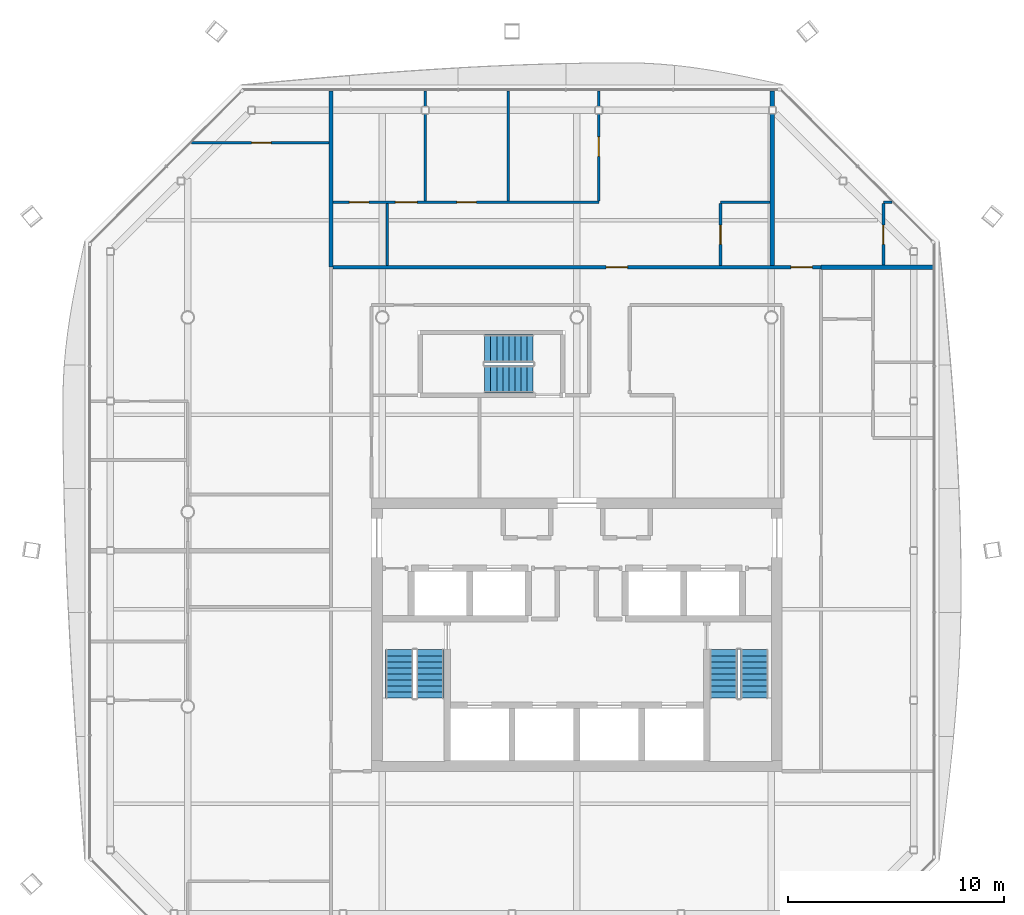
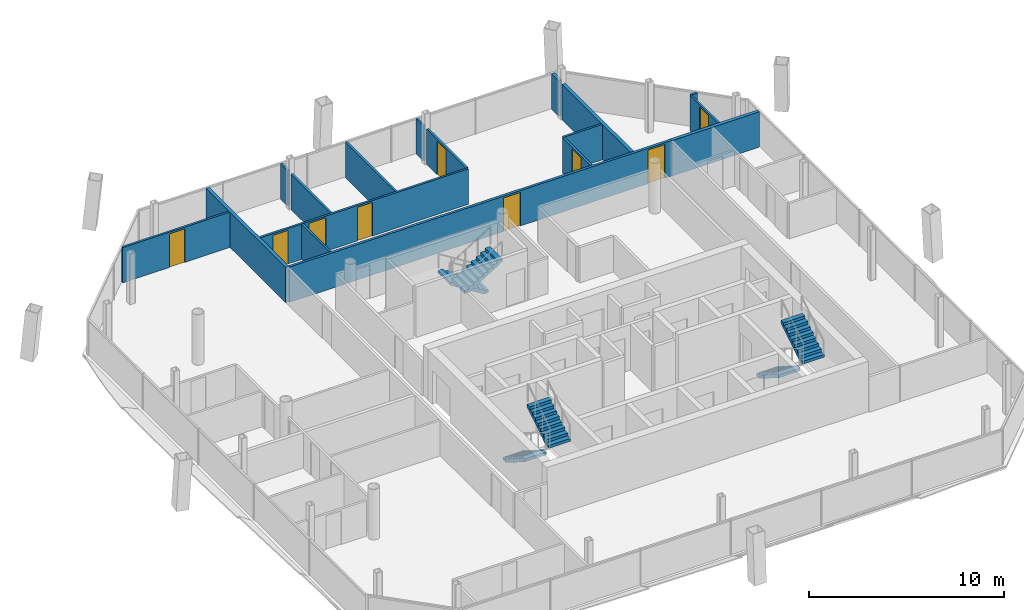
# One storey, part 14 of 19: 17 walls, 9 doors, 6 stair flights, 9 openings, 3 elements without a shape of their own.
"""IFC4 building model written with IfcOpenShell, lengths in metres."""

from ifc_helpers import new_model, si_unit, direction, frame, frame_2d, origin, place, context, subcontext, project, spatial, polyline, rectangle, outline, extrude, material, layer, layer_set, type_object, element, fill, aggregate, save


model = new_model("IFC4")

# Units and contexts
model_context = context("Model", 3, precision=1e-05, world=origin(), true_north=direction((0.0, 1.0)))
body_context = subcontext(model_context, "Body", "Model", "MODEL_VIEW")
ifc_project = project(units=[si_unit("LENGTHUNIT", "METRE"), si_unit("AREAUNIT", "SQUARE_METRE"), si_unit("VOLUMEUNIT", "CUBIC_METRE"), si_unit("PLANEANGLEUNIT", "RADIAN"), si_unit("MASSUNIT", "GRAM", prefix="KILO")], contexts=[model_context])

# Site, building, storey
site_placement = place(None, origin())
site = spatial("IfcSite", under=ifc_project, at=site_placement, CompositionType="ELEMENT")
building_placement = place(site_placement, origin())
building = spatial("IfcBuilding", under=site, at=building_placement, Name="Tskaro Facet Tower", CompositionType="ELEMENT")
storey_placement = place(building_placement, frame((0.0, 0.0, 206.85009765625)))
storey = spatial("IfcBuildingStorey", under=building, at=storey_placement, Name="L53", CompositionType="ELEMENT", Elevation=206.85009765625)

# Wall, openings, doors
ifc_material_1 = material(Name="Gypsum board on steel studs", Category="steel")
ifc_layer_1 = layer(ifc_material_1, 0.125, Name="Gypsum board on steel studs")
ifc_layer_set_1 = layer_set([ifc_layer_1], Name="Gypsum board on steel studs")
wall_type_1 = type_object("IfcWallType", Name="PART", PredefinedType="PARTITIONING", material=ifc_layer_set_1)
wall_1_placement = place(storey_placement, frame((-11.27490234375, 14.324951171875, 0.0), z_axis=(0.0, 0.0, 1.0), x_axis=(1.0, 0.0, 0.0)))
wall_1 = element("IfcWall", 1, at=wall_1_placement, inside=storey, type_object=wall_type_1, Name="Partition W039", PredefinedType="PARTITIONING", context=body_context, shape_type="SweptSolid", body=[
    extrude(rectangle(XDim=12.289794921875, YDim=0.125, at=frame_2d((6.14501953125, 0.0))), origin(), (0.0, 0.0, 1.0), 2.2099609375),
])
opening_1_placement = place(wall_1_placement, frame((5.72998046875, 0.0, 0.0)))
opening_1 = element("IfcOpeningElement", 2, at=opening_1_placement, cuts=wall_1, Name="Opening T15-D33", PredefinedType="OPENING", context=body_context, shape_type="SweptSolid", body=[
    extrude(rectangle(XDim=0.89990234375, YDim=2.10009765625, at=frame_2d((0.449951171875, 1.050048828125))), frame((0.0, 0.072509765625, 0.0), z_axis=(0.0, -1.0, 0.0), x_axis=(1.0, 0.0, 0.0)), (0.0, 0.0, 1.0), 0.14501953125),
])
opening_2_placement = place(wall_1_placement, frame((2.8798828125, 0.0, 0.0)))
opening_2 = element("IfcOpeningElement", 3, at=opening_2_placement, cuts=wall_1, Name="Opening T15-D32", PredefinedType="OPENING", context=body_context, shape_type="SweptSolid", body=[
    extrude(rectangle(XDim=1.0, YDim=2.10009765625, at=frame_2d((0.5, 1.050048828125))), frame((0.0, 0.072509765625, 0.0), z_axis=(0.0, -1.0, 0.0), x_axis=(1.0, 0.0, 0.0)), (0.0, 0.0, 1.0), 0.14501953125),
])
opening_3_placement = place(wall_1_placement, frame((0.75, 0.0, 0.0)))
opening_3 = element("IfcOpeningElement", 4, at=opening_3_placement, cuts=wall_1, Name="Opening T15-D31", PredefinedType="OPENING", context=body_context, shape_type="SweptSolid", body=[
    extrude(rectangle(XDim=0.89990234375, YDim=2.10009765625, at=frame_2d((0.449951171875, 1.050048828125))), frame((0.0, 0.072509765625, 0.0), z_axis=(0.0, -1.0, 0.0), x_axis=(1.0, 0.0, 0.0)), (0.0, 0.0, 1.0), 0.14501953125),
])
ifc_material_2 = material(Name="Timber", Category="wood")
door_type_1 = type_object("IfcDoorType", Name="D-ROOM", OperationType="NOTDEFINED", PredefinedType="DOOR", material=ifc_material_2)
door_1_placement = place(opening_1_placement, origin())
door_1 = element("IfcDoor", 5, at=door_1_placement, inside=storey, type_object=door_type_1, Name="Door T15-D33", OperationType="SINGLE_SWING_LEFT", OverallHeight=2.10009765625, OverallWidth=0.89990234375, PredefinedType="DOOR", context=body_context, shape_type="SweptSolid", body=[
    extrude(rectangle(XDim=0.89990234375, YDim=2.10009765625, at=frame_2d((0.449951171875, 1.050048828125))), frame((0.0, 0.02490234375, 0.0), z_axis=(0.0, -1.0, 0.0), x_axis=(1.0, 0.0, 0.0)), (0.0, 0.0, 1.0), 0.050048828125),
])
fill(opening_1, door_1)
door_2_placement = place(opening_3_placement, origin())
door_2 = element("IfcDoor", 6, at=door_2_placement, inside=storey, type_object=door_type_1, Name="Door T15-D31", OperationType="SINGLE_SWING_RIGHT", OverallHeight=2.10009765625, OverallWidth=0.89990234375, PredefinedType="DOOR", context=body_context, shape_type="SweptSolid", body=[
    extrude(rectangle(XDim=0.89990234375, YDim=2.10009765625, at=frame_2d((0.449951171875, 1.050048828125))), frame((0.0, 0.02490234375, 0.0), z_axis=(0.0, -1.0, 0.0), x_axis=(1.0, 0.0, 0.0)), (0.0, 0.0, 1.0), 0.050048828125),
])
fill(opening_3, door_2)
door_type_2 = type_object("IfcDoorType", Name="D-ROOM-WIDE", OperationType="NOTDEFINED", PredefinedType="DOOR", material=ifc_material_2)
door_3_placement = place(opening_2_placement, origin())
door_3 = element("IfcDoor", 7, at=door_3_placement, inside=storey, type_object=door_type_2, Name="Door T15-D32", OperationType="SINGLE_SWING_RIGHT", OverallHeight=2.10009765625, OverallWidth=1.0, PredefinedType="DOOR", context=body_context, shape_type="SweptSolid", body=[
    extrude(rectangle(XDim=1.0, YDim=2.10009765625, at=frame_2d((0.5, 1.050048828125))), frame((0.0, 0.02490234375, 0.0), z_axis=(0.0, -1.0, 0.0), x_axis=(1.0, 0.0, 0.0)), (0.0, 0.0, 1.0), 0.050048828125),
])
fill(opening_2, door_3)

# Walls
wall_2_placement = place(storey_placement, frame((6.64501953125, 14.324951171875, 0.0), z_axis=(0.0, 0.0, 1.0), x_axis=(1.0, 0.0, 0.0)))
element("IfcWall", 8, at=wall_2_placement, inside=storey, type_object=wall_type_1, Name="Partition W040", PredefinedType="PARTITIONING", context=body_context, shape_type="SweptSolid", body=[
    extrude(rectangle(XDim=2.300048828125, YDim=0.125, at=frame_2d((1.14990234375, 0.0))), origin(), (0.0, 0.0, 1.0), 2.2099609375),
])
wall_3_placement = place(storey_placement, frame((14.18505859375, 14.324951171875, 0.0), z_axis=(0.0, 0.0, 1.0), x_axis=(1.0, 0.0, 0.0)))
element("IfcWall", 9, at=wall_3_placement, inside=storey, type_object=wall_type_1, Name="Partition W041", PredefinedType="PARTITIONING", context=body_context, shape_type="SweptSolid", body=[
    extrude(rectangle(XDim=0.391845703125, YDim=0.125, at=frame_2d((0.19580078125, 0.0))), origin(), (0.0, 0.0, 1.0), 2.2099609375),
])

# Wall, opening, door
wall_4_placement = place(storey_placement, frame((-17.81689453125, 17.0849609375, 0.0), z_axis=(0.0, 0.0, 1.0), x_axis=(1.0, 0.0, 0.0)))
wall_4 = element("IfcWall", 10, at=wall_4_placement, inside=storey, type_object=wall_type_1, Name="Partition W042", PredefinedType="PARTITIONING", context=body_context, shape_type="SweptSolid", body=[
    extrude(rectangle(XDim=6.341796875, YDim=0.125, at=frame_2d((3.1708984375, 0.0))), origin(), (0.0, 0.0, 1.0), 2.2099609375),
])
opening_4_placement = place(wall_4_placement, frame((2.77099609375, 0.0, 0.0)))
opening_4 = element("IfcOpeningElement", 11, at=opening_4_placement, cuts=wall_4, Name="Opening T15-D35", PredefinedType="OPENING", context=body_context, shape_type="SweptSolid", body=[
    extrude(rectangle(XDim=0.89990234375, YDim=2.10009765625, at=frame_2d((0.449951171875, 1.050048828125))), frame((0.0, 0.072509765625, 0.0), z_axis=(0.0, -1.0, 0.0), x_axis=(1.0, 0.0, 0.0)), (0.0, 0.0, 1.0), 0.14501953125),
])
door_4_placement = place(opening_4_placement, origin())
door_4 = element("IfcDoor", 12, at=door_4_placement, inside=storey, type_object=door_type_1, Name="Door T15-D35", OperationType="SINGLE_SWING_LEFT", OverallHeight=2.10009765625, OverallWidth=0.89990234375, PredefinedType="DOOR", context=body_context, shape_type="SweptSolid", body=[
    extrude(rectangle(XDim=0.89990234375, YDim=2.10009765625, at=frame_2d((0.449951171875, 1.050048828125))), frame((0.0, 0.02490234375, 0.0), z_axis=(0.0, -1.0, 0.0), x_axis=(1.0, 0.0, 0.0)), (0.0, 0.0, 1.0), 0.050048828125),
])
fill(opening_4, door_4)

# Walls
wall_5_placement = place(storey_placement, frame((-8.77490234375, 11.39990234375, 0.0), z_axis=(0.0, 0.0, 1.0), x_axis=(0.0, 1.0, 0.0)))
element("IfcWall", 13, at=wall_5_placement, inside=storey, type_object=wall_type_1, Name="Partition W050", PredefinedType="PARTITIONING", context=body_context, shape_type="SweptSolid", body=[
    extrude(rectangle(XDim=2.862548828125, YDim=0.125, at=frame_2d((1.43115234375, 0.0))), origin(), (0.0, 0.0, 1.0), 2.2099609375),
])
wall_6_placement = place(storey_placement, frame((-7.014892578125, 14.387451171875, 0.0), z_axis=(0.0, 0.0, 1.0), x_axis=(0.0, 1.0, 0.0)))
element("IfcWall", 14, at=wall_6_placement, inside=storey, type_object=wall_type_1, Name="Partition W053", PredefinedType="PARTITIONING", context=body_context, shape_type="SweptSolid", body=[
    extrude(rectangle(XDim=4.0205078125, YDim=0.125, at=frame_2d((2.01025390625, 0.0))), origin(), (0.0, 0.0, 1.0), 2.2099609375),
])
wall_7_placement = place(storey_placement, frame((-7.014892578125, 18.758056640625, 0.0), z_axis=(0.0, 0.0, 1.0), x_axis=(0.0, 1.0, 0.0)))
element("IfcWall", 15, at=wall_7_placement, inside=storey, type_object=wall_type_1, Name="Partition W054", PredefinedType="PARTITIONING", context=body_context, shape_type="SweptSolid", body=[
    extrude(rectangle(XDim=0.724853515625, YDim=0.125, at=frame_2d((0.3623046875, 0.0))), origin(), (0.0, 0.0, 1.0), 2.2099609375),
])
wall_8_placement = place(storey_placement, frame((-3.175048828125, 14.387451171875, 0.0), z_axis=(0.0, 0.0, 1.0), x_axis=(0.0, 1.0, 0.0)))
element("IfcWall", 16, at=wall_8_placement, inside=storey, type_object=wall_type_1, Name="Partition W059", PredefinedType="PARTITIONING", context=body_context, shape_type="SweptSolid", body=[
    extrude(rectangle(XDim=5.095458984375, YDim=0.125, at=frame_2d((2.5478515625, 0.0))), origin(), (0.0, 0.0, 1.0), 2.2099609375),
])

# Wall, opening, door
wall_9_placement = place(storey_placement, frame((1.014892578125, 14.387451171875, 0.0), z_axis=(0.0, 0.0, 1.0), x_axis=(0.0, 1.0, 0.0)))
wall_9 = element("IfcWall", 17, at=wall_9_placement, inside=storey, type_object=wall_type_1, Name="Partition W068", PredefinedType="PARTITIONING", context=body_context, shape_type="SweptSolid", body=[
    extrude(rectangle(XDim=4.0205078125, YDim=0.125, at=frame_2d((2.01025390625, 0.0))), origin(), (0.0, 0.0, 1.0), 2.2099609375),
])
opening_5_placement = place(wall_9_placement, frame((2.06640625, 0.0, 0.0)))
opening_5 = element("IfcOpeningElement", 18, at=opening_5_placement, cuts=wall_9, Name="Opening T15-D34", PredefinedType="OPENING", context=body_context, shape_type="SweptSolid", body=[
    extrude(rectangle(XDim=0.89990234375, YDim=2.10009765625, at=frame_2d((0.449951171875, 1.050048828125))), frame((0.0, 0.072509765625, 0.0), z_axis=(0.0, -1.0, 0.0), x_axis=(1.0, 0.0, 0.0)), (0.0, 0.0, 1.0), 0.14501953125),
])
door_5_placement = place(opening_5_placement, origin())
door_5 = element("IfcDoor", 19, at=door_5_placement, inside=storey, type_object=door_type_1, Name="Door T15-D34", OperationType="SINGLE_SWING_LEFT", OverallHeight=2.10009765625, OverallWidth=0.89990234375, PredefinedType="DOOR", context=body_context, shape_type="SweptSolid", body=[
    extrude(rectangle(XDim=0.89990234375, YDim=2.10009765625, at=frame_2d((0.449951171875, 1.050048828125))), frame((0.0, 0.02490234375, 0.0), z_axis=(0.0, -1.0, 0.0), x_axis=(1.0, 0.0, 0.0)), (0.0, 0.0, 1.0), 0.050048828125),
])
fill(opening_5, door_5)

# Wall
wall_10_placement = place(storey_placement, frame((1.014892578125, 18.758056640625, 0.0), z_axis=(0.0, 0.0, 1.0), x_axis=(0.0, 1.0, 0.0)))
element("IfcWall", 20, at=wall_10_placement, inside=storey, type_object=wall_type_1, Name="Partition W069", PredefinedType="PARTITIONING", context=body_context, shape_type="SweptSolid", body=[
    extrude(rectangle(XDim=0.724853515625, YDim=0.125, at=frame_2d((0.3623046875, 0.0))), origin(), (0.0, 0.0, 1.0), 2.2099609375),
])

# Wall, opening, door
wall_11_placement = place(storey_placement, frame((6.64501953125, 14.262451171875, 0.0), z_axis=(0.0, 0.0, 1.0), x_axis=(0.0, -1.0, 0.0)))
wall_11 = element("IfcWall", 21, at=wall_11_placement, inside=storey, type_object=wall_type_1, Name="Partition W078", PredefinedType="PARTITIONING", context=body_context, shape_type="SweptSolid", body=[
    extrude(rectangle(XDim=2.862548828125, YDim=0.125, at=frame_2d((1.43115234375, 0.0))), origin(), (0.0, 0.0, 1.0), 2.2099609375),
])
opening_6_placement = place(wall_11_placement, frame((0.987548828125, 0.0, 0.0)))
opening_6 = element("IfcOpeningElement", 22, at=opening_6_placement, cuts=wall_11, Name="Opening T15-D29", PredefinedType="OPENING", context=body_context, shape_type="SweptSolid", body=[
    extrude(rectangle(XDim=0.89990234375, YDim=2.10009765625, at=frame_2d((0.449951171875, 1.050048828125))), frame((0.0, 0.072509765625, 0.0), z_axis=(0.0, -1.0, 0.0), x_axis=(1.0, 0.0, 0.0)), (0.0, 0.0, 1.0), 0.14501953125),
])
door_6_placement = place(opening_6_placement, origin())
door_6 = element("IfcDoor", 23, at=door_6_placement, inside=storey, type_object=door_type_1, Name="Door T15-D29", OperationType="SINGLE_SWING_RIGHT", OverallHeight=2.10009765625, OverallWidth=0.89990234375, PredefinedType="DOOR", context=body_context, shape_type="SweptSolid", body=[
    extrude(rectangle(XDim=0.89990234375, YDim=2.10009765625, at=frame_2d((0.449951171875, 1.050048828125))), frame((0.0, 0.02490234375, 0.0), z_axis=(0.0, -1.0, 0.0), x_axis=(1.0, 0.0, 0.0)), (0.0, 0.0, 1.0), 0.050048828125),
])
fill(opening_6, door_6)

wall_12_placement = place(storey_placement, frame((14.18505859375, 14.262451171875, 0.0), z_axis=(0.0, 0.0, 1.0), x_axis=(0.0, -1.0, 0.0)))
wall_12 = element("IfcWall", 24, at=wall_12_placement, inside=storey, type_object=wall_type_1, Name="Partition W085", PredefinedType="PARTITIONING", context=body_context, shape_type="SweptSolid", body=[
    extrude(rectangle(XDim=2.83740234375, YDim=0.125, at=frame_2d((1.418701171875, 0.0))), origin(), (0.0, 0.0, 1.0), 2.2099609375),
])
opening_7_placement = place(wall_12_placement, frame((0.987548828125, 0.0, 0.0)))
opening_7 = element("IfcOpeningElement", 25, at=opening_7_placement, cuts=wall_12, Name="Opening T15-D30", PredefinedType="OPENING", context=body_context, shape_type="SweptSolid", body=[
    extrude(rectangle(XDim=0.89990234375, YDim=2.10009765625, at=frame_2d((0.449951171875, 1.050048828125))), frame((0.0, 0.072509765625, 0.0), z_axis=(0.0, -1.0, 0.0), x_axis=(1.0, 0.0, 0.0)), (0.0, 0.0, 1.0), 0.14501953125),
])
door_7_placement = place(opening_7_placement, origin())
door_7 = element("IfcDoor", 26, at=door_7_placement, inside=storey, type_object=door_type_1, Name="Door T15-D30", OperationType="SINGLE_SWING_RIGHT", OverallHeight=2.10009765625, OverallWidth=0.89990234375, PredefinedType="DOOR", context=body_context, shape_type="SweptSolid", body=[
    extrude(rectangle(XDim=0.89990234375, YDim=2.10009765625, at=frame_2d((0.449951171875, 1.050048828125))), frame((0.0, 0.02490234375, 0.0), z_axis=(0.0, -1.0, 0.0), x_axis=(1.0, 0.0, 0.0)), (0.0, 0.0, 1.0), 0.050048828125),
])
fill(opening_7, door_7)

# Wall, openings, doors
ifc_layer_2 = layer(ifc_material_1, 0.14990234375, Name="Gypsum board on steel studs")
ifc_layer_set_2 = layer_set([ifc_layer_2], Name="Gypsum board on steel studs")
wall_type_2 = type_object("IfcWallType", Name="PART-CORR", PredefinedType="PARTITIONING", material=ifc_layer_set_2)
wall_13_placement = place(storey_placement, frame((-11.27490234375, 11.324951171875, 0.0), z_axis=(0.0, 0.0, 1.0), x_axis=(1.0, 0.0, 0.0)))
wall_13 = element("IfcWall", 27, at=wall_13_placement, inside=storey, type_object=wall_type_2, Name="Corridor wall W037", PredefinedType="PARTITIONING", context=body_context, shape_type="SweptSolid", body=[
    extrude(rectangle(XDim=22.574951171875, YDim=0.14990234375, at=frame_2d((11.28759765625, 0.0))), origin(), (0.0, 0.0, 1.0), 2.2099609375),
])
opening_8_placement = place(wall_13_placement, frame((12.6298828125, 0.0, 0.0)))
opening_8 = element("IfcOpeningElement", 28, at=opening_8_placement, cuts=wall_13, Name="Opening T15-D27", PredefinedType="OPENING", context=body_context, shape_type="SweptSolid", body=[
    extrude(rectangle(XDim=1.0, YDim=2.10009765625, at=frame_2d((0.5, 1.050048828125))), frame((0.0, 0.0849609375, 0.0), z_axis=(0.0, -1.0, 0.0), x_axis=(1.0, 0.0, 0.0)), (0.0, 0.0, 1.0), 0.169921875),
])
opening_9_placement = place(wall_13_placement, frame((21.175048828125, 0.0, 0.0)))
opening_9 = element("IfcOpeningElement", 29, at=opening_9_placement, cuts=wall_13, Name="Opening T15-D28", PredefinedType="OPENING", context=body_context, shape_type="SweptSolid", body=[
    extrude(rectangle(XDim=1.0, YDim=2.10009765625, at=frame_2d((0.5, 1.050048828125))), frame((0.0, 0.0849609375, 0.0), z_axis=(0.0, -1.0, 0.0), x_axis=(1.0, 0.0, 0.0)), (0.0, 0.0, 1.0), 0.169921875),
])
door_type_3 = type_object("IfcDoorType", Name="D-FLAT-ENTRY", OperationType="NOTDEFINED", PredefinedType="DOOR", material=ifc_material_2)
door_8_placement = place(opening_8_placement, origin())
door_8 = element("IfcDoor", 30, at=door_8_placement, inside=storey, type_object=door_type_3, Name="Door T15-D27", OperationType="SINGLE_SWING_LEFT", OverallHeight=2.10009765625, OverallWidth=1.0, PredefinedType="DOOR", context=body_context, shape_type="SweptSolid", body=[
    extrude(rectangle(XDim=1.0, YDim=2.10009765625, at=frame_2d((0.5, 1.050048828125))), frame((0.0, 0.02490234375, 0.0), z_axis=(0.0, -1.0, 0.0), x_axis=(1.0, 0.0, 0.0)), (0.0, 0.0, 1.0), 0.050048828125),
])
fill(opening_8, door_8)
door_9_placement = place(opening_9_placement, origin())
door_9 = element("IfcDoor", 31, at=door_9_placement, inside=storey, type_object=door_type_3, Name="Door T15-D28", OperationType="SINGLE_SWING_LEFT", OverallHeight=2.10009765625, OverallWidth=1.0, PredefinedType="DOOR", context=body_context, shape_type="SweptSolid", body=[
    extrude(rectangle(XDim=1.0, YDim=2.10009765625, at=frame_2d((0.5, 1.050048828125))), frame((0.0, 0.02490234375, 0.0), z_axis=(0.0, -1.0, 0.0), x_axis=(1.0, 0.0, 0.0)), (0.0, 0.0, 1.0), 0.050048828125),
])
fill(opening_9, door_9)

# Walls
ifc_layer_3 = layer(ifc_material_1, 0.199951171875, Name="Gypsum board on steel studs")
ifc_layer_set_3 = layer_set([ifc_layer_3], Name="Gypsum board on steel studs")
wall_type_3 = type_object("IfcWallType", Name="PART-DEMISING", PredefinedType="PARTITIONING", material=ifc_layer_set_3)
wall_14_placement = place(storey_placement, frame((11.300048828125, 11.324951171875, 0.0), z_axis=(0.0, 0.0, 1.0), x_axis=(1.0, 0.0, 0.0)))
element("IfcWall", 32, at=wall_14_placement, inside=storey, type_object=wall_type_3, Name="Guest room wall W038", PredefinedType="PARTITIONING", context=body_context, shape_type="SweptSolid", body=[
    extrude(rectangle(XDim=5.182861328125, YDim=0.199951171875, at=frame_2d((2.59130859375, 0.0))), origin(), (0.0, 0.0, 1.0), 2.2099609375),
])
wall_15_placement = place(storey_placement, frame((-11.375, 11.324951171875, 0.0), z_axis=(0.0, 0.0, 1.0), x_axis=(0.0, 1.0, 0.0)))
element("IfcWall", 33, at=wall_15_placement, inside=storey, type_object=wall_type_3, Name="Guest room wall W048", PredefinedType="PARTITIONING", context=body_context, shape_type="SweptSolid", body=[
    extrude(rectangle(XDim=8.157958984375, YDim=0.199951171875, at=frame_2d((4.0791015625, 0.0))), origin(), (0.0, 0.0, 1.0), 2.2099609375),
])
wall_16_placement = place(storey_placement, frame((9.044921875, 11.39990234375, 0.0), z_axis=(0.0, 0.0, 1.0), x_axis=(0.0, 1.0, 0.0)))
element("IfcWall", 34, at=wall_16_placement, inside=storey, type_object=wall_type_3, Name="Guest room wall W080", PredefinedType="PARTITIONING", context=body_context, shape_type="SweptSolid", body=[
    extrude(rectangle(XDim=7.008056640625, YDim=0.199951171875, at=frame_2d((3.50390625, 0.0))), origin(), (0.0, 0.0, 1.0), 2.2099609375),
])
wall_17_placement = place(storey_placement, frame((9.044921875, 18.758056640625, 0.0), z_axis=(0.0, 0.0, 1.0), x_axis=(0.0, 1.0, 0.0)))
element("IfcWall", 35, at=wall_17_placement, inside=storey, type_object=wall_type_3, Name="Guest room wall W081", PredefinedType="PARTITIONING", context=body_context, shape_type="SweptSolid", body=[
    extrude(rectangle(XDim=0.724853515625, YDim=0.199951171875, at=frame_2d((0.3623046875, 0.0))), origin(), (0.0, 0.0, 1.0), 2.2099609375),
])

# Stair, stair flights
ifc_material_3 = material(Name="Concrete C40/50", Category="concrete")
stair_type = type_object("IfcStairType", Name="ST-TWR", PredefinedType="HALF_TURN_STAIR", material=ifc_material_3)
stair_1_placement = place(storey_placement, origin())
stair_1 = element("IfcStair", 36, at=stair_1_placement, inside=storey, type_object=stair_type, Name="L53 Exit stair 1", PredefinedType="HALF_TURN_STAIR")
stair_flight_type = type_object("IfcStairFlightType", Name="SFL-RC", PredefinedType="STRAIGHT", material=ifc_material_3)
stair_flight_1_placement = place(storey_placement, frame((-8.21240234375, -6.375, 0.0), z_axis=(0.0, 0.0, 1.0), x_axis=(0.0, -1.0, 0.0)))
stair_flight_1 = element("IfcStairFlight", 37, at=stair_flight_1_placement, type_object=stair_flight_type, Name="ST-1 flight 1", NumberOfRisers=9, NumberOfTreads=8, PredefinedType="STRAIGHT", RiserHeight=0.175, TreadLength=0.28, context=body_context, shape_type="SweptSolid", body=[
    extrude(outline(polyline([(0.0, 0.0), (0.0, 0.175048828125), (0.280029296875, 0.175048828125), (0.280029296875, 0.35009765625), (0.56005859375, 0.35009765625), (0.56005859375, 0.52490234375), (0.840087890625, 0.52490234375), (0.840087890625, 0.699951171875), (1.1201171875, 0.699951171875), (1.1201171875, 0.875), (1.39990234375, 0.875), (1.39990234375, 1.050048828125), (1.679931640625, 1.050048828125), (1.679931640625, 1.22509765625), (1.9599609375, 1.22509765625), (1.9599609375, 1.39990234375), (2.239990234375, 1.39990234375), (2.239990234375, 1.574951171875), (2.239990234375, 1.22314453125), (0.28271484375, 0.0), (0.0, 0.0)])), frame((0.0, 0.637451171875, 0.0), z_axis=(0.0, -1.0, 0.0), x_axis=(1.0, 0.0, 0.0)), (0.0, 0.0, 1.0), 1.27490234375),
])
stair_flight_2_placement = place(storey_placement, frame((-6.78759765625, -8.614990234375, 1.574951171875), z_axis=(0.0, 0.0, 1.0), x_axis=(0.0, 1.0, 0.0)))
stair_flight_2 = element("IfcStairFlight", 38, at=stair_flight_2_placement, type_object=stair_flight_type, Name="ST-1 flight 2", NumberOfRisers=9, NumberOfTreads=8, PredefinedType="STRAIGHT", RiserHeight=0.175, TreadLength=0.28, context=body_context, shape_type="SweptSolid", body=[
    extrude(outline(polyline([(0.0, 0.0), (0.0, 0.175048828125), (0.280029296875, 0.175048828125), (0.280029296875, 0.35009765625), (0.56005859375, 0.35009765625), (0.56005859375, 0.52490234375), (0.840087890625, 0.52490234375), (0.840087890625, 0.699951171875), (1.1201171875, 0.699951171875), (1.1201171875, 0.875), (1.39990234375, 0.875), (1.39990234375, 1.050048828125), (1.679931640625, 1.050048828125), (1.679931640625, 1.22509765625), (1.9599609375, 1.22509765625), (1.9599609375, 1.39990234375), (2.239990234375, 1.39990234375), (2.239990234375, 1.574951171875), (2.239990234375, 1.22314453125), (0.28271484375, 0.0), (0.0, 0.0)])), frame((0.0, 0.637451171875, 0.0), z_axis=(0.0, -1.0, 0.0), x_axis=(1.0, 0.0, 0.0)), (0.0, 0.0, 1.0), 1.27490234375),
])
aggregate(stair_1, [stair_flight_1, stair_flight_2])

stair_2_placement = place(storey_placement, origin())
stair_2 = element("IfcStair", 39, at=stair_2_placement, inside=storey, type_object=stair_type, Name="L53 Exit stair 2", PredefinedType="HALF_TURN_STAIR")
stair_flight_3_placement = place(storey_placement, frame((6.78759765625, -6.375, 0.0), z_axis=(0.0, 0.0, 1.0), x_axis=(0.0, -1.0, 0.0)))
stair_flight_3 = element("IfcStairFlight", 40, at=stair_flight_3_placement, type_object=stair_flight_type, Name="ST-2 flight 1", NumberOfRisers=9, NumberOfTreads=8, PredefinedType="STRAIGHT", RiserHeight=0.175, TreadLength=0.28, context=body_context, shape_type="SweptSolid", body=[
    extrude(outline(polyline([(0.0, 0.0), (0.0, 0.175048828125), (0.280029296875, 0.175048828125), (0.280029296875, 0.35009765625), (0.56005859375, 0.35009765625), (0.56005859375, 0.52490234375), (0.840087890625, 0.52490234375), (0.840087890625, 0.699951171875), (1.1201171875, 0.699951171875), (1.1201171875, 0.875), (1.39990234375, 0.875), (1.39990234375, 1.050048828125), (1.679931640625, 1.050048828125), (1.679931640625, 1.22509765625), (1.9599609375, 1.22509765625), (1.9599609375, 1.39990234375), (2.239990234375, 1.39990234375), (2.239990234375, 1.574951171875), (2.239990234375, 1.22314453125), (0.28271484375, 0.0), (0.0, 0.0)])), frame((0.0, 0.637451171875, 0.0), z_axis=(0.0, -1.0, 0.0), x_axis=(1.0, 0.0, 0.0)), (0.0, 0.0, 1.0), 1.27490234375),
])
stair_flight_4_placement = place(storey_placement, frame((8.21240234375, -8.614990234375, 1.574951171875), z_axis=(0.0, 0.0, 1.0), x_axis=(0.0, 1.0, 0.0)))
stair_flight_4 = element("IfcStairFlight", 41, at=stair_flight_4_placement, type_object=stair_flight_type, Name="ST-2 flight 2", NumberOfRisers=9, NumberOfTreads=8, PredefinedType="STRAIGHT", RiserHeight=0.175, TreadLength=0.28, context=body_context, shape_type="SweptSolid", body=[
    extrude(outline(polyline([(0.0, 0.0), (0.0, 0.175048828125), (0.280029296875, 0.175048828125), (0.280029296875, 0.35009765625), (0.56005859375, 0.35009765625), (0.56005859375, 0.52490234375), (0.840087890625, 0.52490234375), (0.840087890625, 0.699951171875), (1.1201171875, 0.699951171875), (1.1201171875, 0.875), (1.39990234375, 0.875), (1.39990234375, 1.050048828125), (1.679931640625, 1.050048828125), (1.679931640625, 1.22509765625), (1.9599609375, 1.22509765625), (1.9599609375, 1.39990234375), (2.239990234375, 1.39990234375), (2.239990234375, 1.574951171875), (2.239990234375, 1.22314453125), (0.28271484375, 0.0), (0.0, 0.0)])), frame((0.0, 0.637451171875, 0.0), z_axis=(0.0, -1.0, 0.0), x_axis=(1.0, 0.0, 0.0)), (0.0, 0.0, 1.0), 1.27490234375),
])
aggregate(stair_2, [stair_flight_3, stair_flight_4])

stair_3_placement = place(storey_placement, origin())
stair_3 = element("IfcStair", 42, at=stair_3_placement, inside=storey, type_object=stair_type, Name="L53 Exit stair 3", PredefinedType="HALF_TURN_STAIR")
stair_flight_5_placement = place(storey_placement, frame((-2.02490234375, 7.5625, 0.0), z_axis=(0.0, 0.0, 1.0), x_axis=(-1.0, 0.0, 0.0)))
stair_flight_5 = element("IfcStairFlight", 43, at=stair_flight_5_placement, type_object=stair_flight_type, Name="ST-3 flight 1", NumberOfRisers=9, NumberOfTreads=8, PredefinedType="STRAIGHT", RiserHeight=0.175, TreadLength=0.28, context=body_context, shape_type="SweptSolid", body=[
    extrude(outline(polyline([(0.0, 0.0), (0.0, 0.175048828125), (0.280029296875, 0.175048828125), (0.280029296875, 0.35009765625), (0.56005859375, 0.35009765625), (0.56005859375, 0.52490234375), (0.840087890625, 0.52490234375), (0.840087890625, 0.699951171875), (1.1201171875, 0.699951171875), (1.1201171875, 0.875), (1.39990234375, 0.875), (1.39990234375, 1.050048828125), (1.679931640625, 1.050048828125), (1.679931640625, 1.22509765625), (1.9599609375, 1.22509765625), (1.9599609375, 1.39990234375), (2.239990234375, 1.39990234375), (2.239990234375, 1.574951171875), (2.239990234375, 1.22314453125), (0.28271484375, 0.0), (0.0, 0.0)])), frame((0.0, 0.637451171875, 0.0), z_axis=(0.0, -1.0, 0.0), x_axis=(1.0, 0.0, 0.0)), (0.0, 0.0, 1.0), 1.27490234375),
])
stair_flight_6_placement = place(storey_placement, frame((-4.264892578125, 6.137451171875, 1.574951171875), z_axis=(0.0, 0.0, 1.0), x_axis=(1.0, 0.0, 0.0)))
stair_flight_6 = element("IfcStairFlight", 44, at=stair_flight_6_placement, type_object=stair_flight_type, Name="ST-3 flight 2", NumberOfRisers=9, NumberOfTreads=8, PredefinedType="STRAIGHT", RiserHeight=0.175, TreadLength=0.28, context=body_context, shape_type="SweptSolid", body=[
    extrude(outline(polyline([(0.0, 0.0), (0.0, 0.175048828125), (0.280029296875, 0.175048828125), (0.280029296875, 0.35009765625), (0.56005859375, 0.35009765625), (0.56005859375, 0.52490234375), (0.840087890625, 0.52490234375), (0.840087890625, 0.699951171875), (1.1201171875, 0.699951171875), (1.1201171875, 0.875), (1.39990234375, 0.875), (1.39990234375, 1.050048828125), (1.679931640625, 1.050048828125), (1.679931640625, 1.22509765625), (1.9599609375, 1.22509765625), (1.9599609375, 1.39990234375), (2.239990234375, 1.39990234375), (2.239990234375, 1.574951171875), (2.239990234375, 1.22314453125), (0.28271484375, 0.0), (0.0, 0.0)])), frame((0.0, 0.637451171875, 0.0), z_axis=(0.0, -1.0, 0.0), x_axis=(1.0, 0.0, 0.0)), (0.0, 0.0, 1.0), 1.27490234375),
])
aggregate(stair_3, [stair_flight_5, stair_flight_6])

save(model, "model.ifc")
